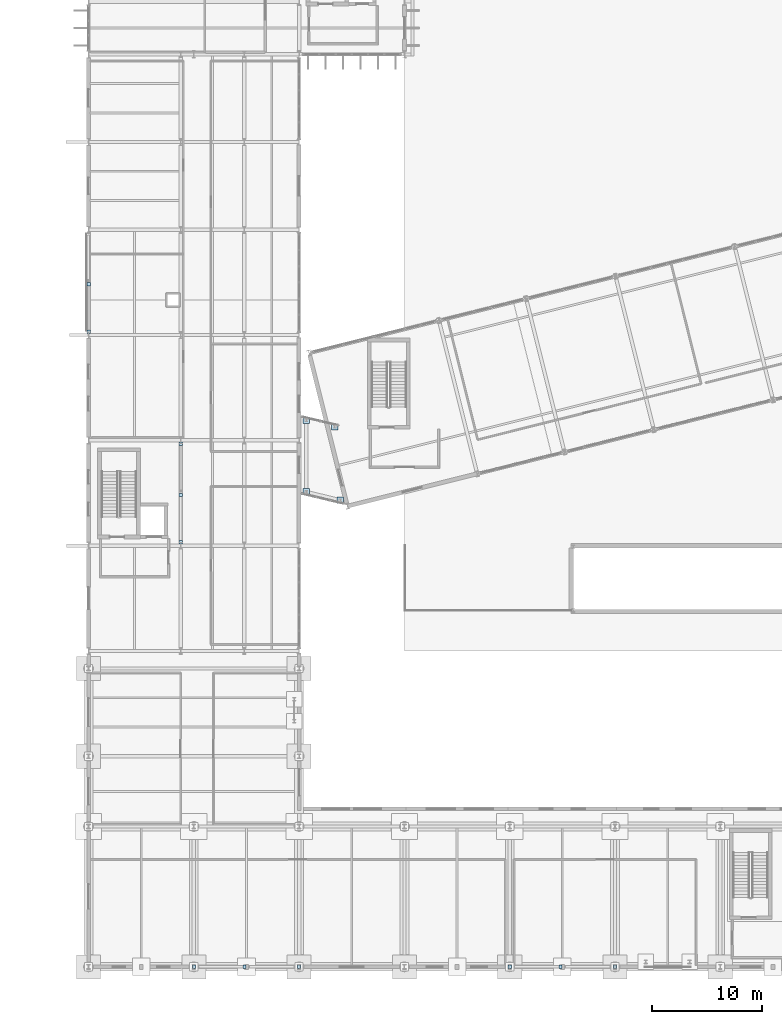
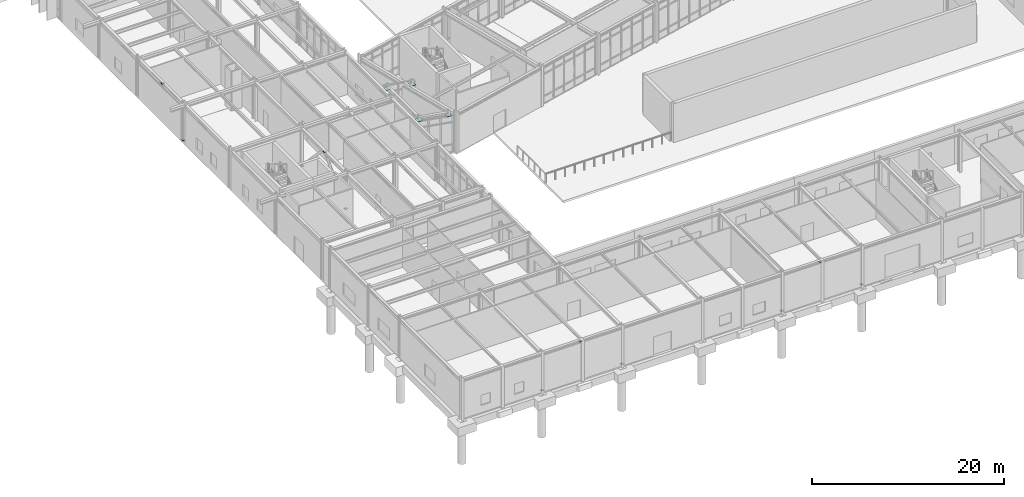
# One storey, part 78 of 109: 15 plates.
"""IFC4 building model written with IfcOpenShell, lengths in metres."""

from ifc_helpers import new_model, si_unit, direction, frame, origin, origin_2d, place, context, subcontext, project, spatial, rectangle, extrude, material, layer, layer_set, type_object, element, save


model = new_model("IFC4")

# Units and contexts
model_context = context("Model", 3, precision=1e-05, world=origin(), true_north=direction((0.0, 1.0)))
body_context = subcontext(model_context, "Body", "Model", "MODEL_VIEW")
ifc_project = project(units=[si_unit("LENGTHUNIT", "METRE"), si_unit("AREAUNIT", "SQUARE_METRE"), si_unit("VOLUMEUNIT", "CUBIC_METRE"), si_unit("PLANEANGLEUNIT", "RADIAN"), si_unit("MASSUNIT", "GRAM", prefix="KILO")], contexts=[model_context])

# Site, building, storey
site_placement = place(None, origin())
site = spatial("IfcSite", under=ifc_project, at=site_placement, CompositionType="ELEMENT")
building_placement = place(site_placement, origin())
building = spatial("IfcBuilding", under=site, at=building_placement, Name="Nordkorset Police Headquarters", CompositionType="ELEMENT")
storey_placement = place(building_placement, origin())
storey = spatial("IfcBuildingStorey", under=building, at=storey_placement, Name="L00", CompositionType="ELEMENT", Elevation=0.0)

# Plates
ifc_material_1 = material(Name="Steel S355J2", Category="steel")
ifc_layer_1 = layer(ifc_material_1, 0.02001953125, Name="Steel S355J2")
ifc_layer_set_1 = layer_set([ifc_layer_1], Name="Steel S355J2")
plate_type_1 = type_object("IfcPlateType", Name="SteelPlate_20mm", PredefinedType="SHEET", material=ifc_layer_set_1)
for number, where, z_axis, x_axis, name in (
    (1, (8.39990234375, 38.699951171875, 0.18994140625), (0.0, 0.0, 1.0), (1.0, 0.0, 0.0), "Hollow Section End Cap Plate BF-V3-A-L00-D1-0"),
    (2, (8.39990234375, 43.02001953125, 4.77001953125), (0.0, 0.0, 1.0), (1.0, 0.0, 0.0), "Hollow Section End Cap Plate BF-V3-A-L00-D1-1"),
    (3, (8.39990234375, 47.699951171875, 0.18994140625), (0.0, 0.0, 1.0), (1.0, 0.0, 0.0), "Hollow Section End Cap Plate BF-V3-A-L00-D2-0"),
    (4, (0.0, 57.89990234375, 0.18994140625), (0.0, 0.0, 1.0), (1.0, 0.0, 0.0), "Hollow Section End Cap Plate BF-EXT-V3W-L00-D1-0"),
    (5, (0.0, 62.219970703125, 4.77001953125), (0.0, 0.0, 1.0), (1.0, 0.0, 0.0), "Hollow Section End Cap Plate BF-EXT-V3W-L00-D1-1"),
):
    element("IfcPlate", number, at=place(storey_placement, frame(where, z_axis=z_axis, x_axis=x_axis)), inside=storey, type_object=plate_type_1, Name=name, PredefinedType="SHEET", context=body_context, shape_type="SweptSolid", body=[
        extrude(rectangle(XDim=0.31298828125, YDim=0.31298828125, at=origin_2d()), origin(), (0.0, 0.0, 1.0), 0.02001953125),
    ])
for number, where, z_axis, x_axis, name in (
    (6, (9.606689453125, 0.0, 0.18994140625), (0.0, 0.0, 1.0), (1.0, 0.0, 0.0), "Hollow Section End Cap Plate BF-EXT-V7S1-L00-D1-0"),
    (7, (14.219970703125, 0.0, 4.77001953125), (0.0, 0.0, 1.0), (1.0, 0.0, 0.0), "Hollow Section End Cap Plate BF-EXT-V7S1-L00-D1-1"),
    (8, (19.193359375, 0.0, 0.18994140625), (0.0, 0.0, 1.0), (1.0, 0.0, 0.0), "Hollow Section End Cap Plate BF-EXT-V7S1-L00-D2-0"),
    (9, (38.40673828125, 0.0, 0.18994140625), (0.0, 0.0, 1.0), (1.0, 0.0, 0.0), "Hollow Section End Cap Plate BF-EXT-V7S4-L00-D1-0"),
    (10, (43.02001953125, 0.0, 4.77001953125), (0.0, 0.0, 1.0), (1.0, 0.0, 0.0), "Hollow Section End Cap Plate BF-EXT-V7S4-L00-D1-1"),
    (11, (47.993408203125, 0.0, 0.18994140625), (0.0, 0.0, 1.0), (1.0, 0.0, 0.0), "Hollow Section End Cap Plate BF-EXT-V7S4-L00-D2-0"),
):
    element("IfcPlate", number, at=place(storey_placement, frame(where, z_axis=z_axis, x_axis=x_axis)), inside=storey, type_object=plate_type_1, Name=name, PredefinedType="SHEET", context=body_context, shape_type="SweptSolid", body=[
        extrude(rectangle(XDim=0.2900390625, YDim=0.2900390625, at=origin_2d()), origin(), (0.0, 0.0, 1.0), 0.02001953125),
    ])
ifc_material_2 = material(Name="Steel S355J2", Category="steel")
ifc_layer_2 = layer(ifc_material_2, 0.0400390625, Name="Steel S355J2")
ifc_layer_set_2 = layer_set([ifc_layer_2], Name="Steel S355J2")
plate_type_2 = type_object("IfcPlateType", Name="SteelPlate_40mm", PredefinedType="SHEET", material=ifc_layer_set_2)
for number, where, z_axis, x_axis, name in (
    (12, (19.85009765625, 43.300048828125, 4.62109375), (0.0, 0.0, 1.0), (1.0, 0.0, 0.0), "Bridge Bearing Seat Plate 600mm BRG-W L00 1"),
    (13, (22.949951171875, 42.550048828125, 4.62109375), (0.0, 0.0, 1.0), (1.0, 0.0, 0.0), "Bridge Bearing Seat Plate 600mm BRG-W L00 2"),
    (14, (19.85009765625, 49.85009765625, 4.62109375), (0.0, 0.0, 1.0), (1.0, 0.0, 0.0), "Bridge Bearing Seat Plate 600mm BRG-W L00 3"),
    (15, (22.449951171875, 49.25, 4.62109375), (0.0, 0.0, 1.0), (1.0, 0.0, 0.0), "Bridge Bearing Seat Plate 600mm BRG-W L00 4"),
):
    element("IfcPlate", number, at=place(storey_placement, frame(where, z_axis=z_axis, x_axis=x_axis)), inside=storey, type_object=plate_type_2, Name=name, PredefinedType="SHEET", context=body_context, shape_type="SweptSolid", body=[
        extrude(rectangle(XDim=0.60009765625, YDim=0.60009765625, at=origin_2d()), origin(), (0.0, 0.0, 1.0), 0.0400390625),
    ])

save(model, "model.ifc")
